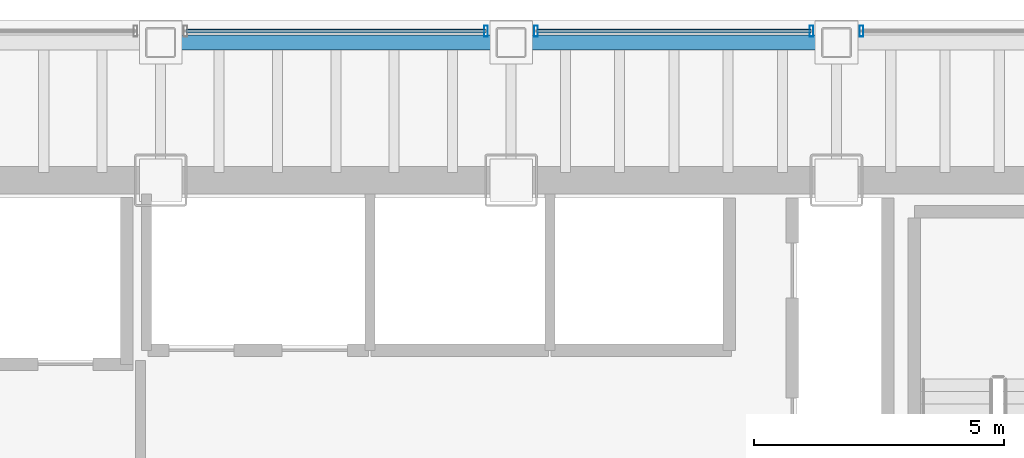
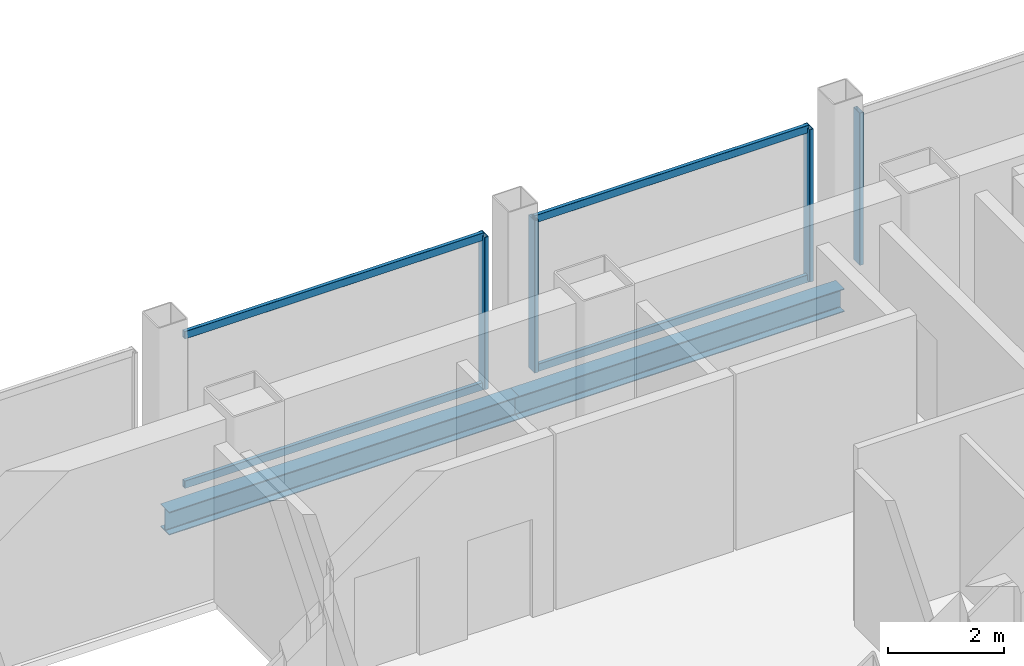
# One storey, part 15 of 21: 8 members, 2 beams, 3 elements without a shape of their own.
"""IFC4 building model written with IfcOpenShell, lengths in metres."""

from ifc_helpers import new_model, si_unit, direction, frame, origin, origin_2d, place, context, subcontext, project, spatial, hollow_rectangle, i_section, extrude, material, material_profile, profile_set, type_object, element, aggregate, save


model = new_model("IFC4")

# Units and contexts
model_context = context("Model", 3, precision=1e-05, world=origin(), true_north=direction((0.0, 1.0)))
body_context = subcontext(model_context, "Body", "Model", "MODEL_VIEW")
ifc_project = project(units=[si_unit("LENGTHUNIT", "METRE"), si_unit("AREAUNIT", "SQUARE_METRE"), si_unit("VOLUMEUNIT", "CUBIC_METRE"), si_unit("PLANEANGLEUNIT", "RADIAN"), si_unit("MASSUNIT", "GRAM", prefix="KILO")], contexts=[model_context])

# Site, building, storey
site_placement = place(None, origin())
site = spatial("IfcSite", under=ifc_project, at=site_placement, CompositionType="ELEMENT")
building_placement = place(site_placement, origin())
building = spatial("IfcBuilding", under=site, at=building_placement, Name="Noeulbin Bourse Tower", CompositionType="ELEMENT")
storey_placement = place(building_placement, frame((0.0, 0.0, 92.800048828125)))
storey = spatial("IfcBuildingStorey", under=building, at=storey_placement, Name="L23", CompositionType="ELEMENT", Elevation=92.800048828125)

# Beams
ifc_material_1 = material(Name="Steel S355", Category="steel")
ifc_material_profile_1 = material_profile(ifc_material_1, i_section(OverallWidth=0.300048828125, OverallDepth=0.488037109375, WebThickness=0.010986328125, FlangeThickness=0.01806640625, FilletRadius=0.02197265625, at=origin_2d()), Name="H-488x300x11x18", Category="LoadBearing")
ifc_profile_set_1 = profile_set([ifc_material_profile_1], Name="Steel S355")
beam_type = type_object("IfcBeamType", Name="BM-SPN-488", PredefinedType="SPANDREL", material=ifc_profile_set_1)
beam_1_placement = place(storey_placement, frame((24.0, 41.050048828125, -0.424072265625), z_axis=(1.0, 0.0, 0.0), x_axis=(0.0, 1.0, 0.0)))
element("IfcBeam", 1, at=beam_1_placement, inside=storey, type_object=beam_type, Name="North Spandrel L23-2", PredefinedType="SPANDREL", context=body_context, shape_type="SweptSolid", body=[
    extrude(i_section(OverallWidth=0.300048828125, OverallDepth=0.488037109375, WebThickness=0.010986328125, FlangeThickness=0.01806640625, FilletRadius=0.02197265625, at=origin_2d()), origin(), (0.0, 0.0, 1.0), 7.0),
])
beam_2_placement = place(storey_placement, frame((31.0, 41.050048828125, -0.424072265625), z_axis=(1.0, 0.0, 0.0), x_axis=(0.0, 1.0, 0.0)))
element("IfcBeam", 2, at=beam_2_placement, inside=storey, type_object=beam_type, Name="North Spandrel L23-3", PredefinedType="SPANDREL", context=body_context, shape_type="SweptSolid", body=[
    extrude(i_section(OverallWidth=0.300048828125, OverallDepth=0.488037109375, WebThickness=0.010986328125, FlangeThickness=0.01806640625, FilletRadius=0.02197265625, at=origin_2d()), origin(), (0.0, 0.0, 1.0), 6.5),
])

# Curtain wall, member
ifc_material_2 = material(Name="Dark Solar-Control Double Glazing", Category="glass")
curtain_wall_type = type_object("IfcCurtainWallType", Name="CW-SYS-2", PredefinedType="NOTDEFINED", material=ifc_material_2)
curtain_wall_1_placement = place(storey_placement, origin())
curtain_wall_1 = element("IfcCurtainWall", 3, at=curtain_wall_1_placement, inside=storey, type_object=curtain_wall_type, Name="Unitised Curtain Wall CW-L23-N-S3", PredefinedType="NOTDEFINED")
ifc_material_3 = material(Name="Anodised Aluminium 6063-T6", Category="aluminium")
ifc_material_profile_2 = material_profile(ifc_material_3, hollow_rectangle(XDim=0.074951171875, YDim=0.219970703125, WallThickness=0.0048828125, InnerFilletRadius=0.00244140625, OuterFilletRadius=0.0048828125, at=origin_2d()), Name="ALU-MULL-75x220x5", Category="LoadBearing")
ifc_profile_set_2 = profile_set([ifc_material_profile_2], Name="Anodised Aluminium 6063-T6")
member_type_1 = type_object("IfcMemberType", Name="CW-SYS-2-MUL", PredefinedType="MULLION", material=ifc_profile_set_2)
member_1_placement = place(storey_placement, frame((30.5, 41.280029296875, -0.02001953125), z_axis=(0.0, 0.0, 1.0), x_axis=(1.0, 0.0, 0.0)))
member_1 = element("IfcMember", 4, at=member_1_placement, type_object=member_type_1, Name="Curtain Wall Mullion CW-L23-N-S3-M01", PredefinedType="MULLION", context=body_context, shape_type="SweptSolid", body=[
    extrude(hollow_rectangle(XDim=0.074951171875, YDim=0.219970703125, WallThickness=0.0048828125, InnerFilletRadius=0.00244140625, OuterFilletRadius=0.0048828125, at=origin_2d()), origin(), (0.0, 0.0, 1.0), 3.219970703125),
])

# Curtain wall, members
curtain_wall_2_placement = place(storey_placement, origin())
curtain_wall_2 = element("IfcCurtainWall", 5, at=curtain_wall_2_placement, inside=storey, type_object=curtain_wall_type, Name="Unitised Curtain Wall CW-L23-N-S4", PredefinedType="NOTDEFINED")
member_2_placement = place(storey_placement, frame((31.5, 41.280029296875, -0.02001953125), z_axis=(0.0, 0.0, 1.0), x_axis=(1.0, 0.0, 0.0)))
member_2 = element("IfcMember", 6, at=member_2_placement, type_object=member_type_1, Name="Curtain Wall Mullion CW-L23-N-S4-M00", PredefinedType="MULLION", context=body_context, shape_type="SweptSolid", body=[
    extrude(hollow_rectangle(XDim=0.074951171875, YDim=0.219970703125, WallThickness=0.0048828125, InnerFilletRadius=0.00244140625, OuterFilletRadius=0.0048828125, at=origin_2d()), origin(), (0.0, 0.0, 1.0), 3.219970703125),
])
member_3_placement = place(storey_placement, frame((37.0, 41.280029296875, -0.02001953125), z_axis=(0.0, 0.0, 1.0), x_axis=(1.0, 0.0, 0.0)))
member_3 = element("IfcMember", 7, at=member_3_placement, type_object=member_type_1, Name="Curtain Wall Mullion CW-L23-N-S4-M01", PredefinedType="MULLION", context=body_context, shape_type="SweptSolid", body=[
    extrude(hollow_rectangle(XDim=0.074951171875, YDim=0.219970703125, WallThickness=0.0048828125, InnerFilletRadius=0.00244140625, OuterFilletRadius=0.0048828125, at=origin_2d()), origin(), (0.0, 0.0, 1.0), 3.219970703125),
])

# Curtain wall, member
curtain_wall_3_placement = place(storey_placement, origin())
curtain_wall_3 = element("IfcCurtainWall", 8, at=curtain_wall_3_placement, inside=storey, type_object=curtain_wall_type, Name="Unitised Curtain Wall CW-L23-N-S5", PredefinedType="NOTDEFINED")
member_4_placement = place(storey_placement, frame((38.0, 41.280029296875, -0.02001953125), z_axis=(0.0, 0.0, 1.0), x_axis=(1.0, 0.0, 0.0)))
member_4 = element("IfcMember", 9, at=member_4_placement, type_object=member_type_1, Name="Curtain Wall Mullion CW-L23-N-S5-M00", PredefinedType="MULLION", context=body_context, shape_type="SweptSolid", body=[
    extrude(hollow_rectangle(XDim=0.074951171875, YDim=0.219970703125, WallThickness=0.0048828125, InnerFilletRadius=0.00244140625, OuterFilletRadius=0.0048828125, at=origin_2d()), origin(), (0.0, 0.0, 1.0), 3.219970703125),
])
aggregate(curtain_wall_3, [member_4])

# Member
ifc_material_profile_3 = material_profile(ifc_material_3, hollow_rectangle(XDim=0.074951171875, YDim=0.159912109375, WallThickness=0.0048828125, InnerFilletRadius=0.00244140625, OuterFilletRadius=0.0048828125, at=origin_2d()), Name="ALU-TRAN-75x160x5", Category="LoadBearing")
ifc_profile_set_3 = profile_set([ifc_material_profile_3], Name="Anodised Aluminium 6063-T6")
member_type_2 = type_object("IfcMemberType", Name="CW-SYS-2-TRN", PredefinedType="USERDEFINED", material=ifc_profile_set_3)
member_5_placement = place(storey_placement, frame((24.510009765625, 41.280029296875, 0.010009765625), z_axis=(1.0, 0.0, 0.0), x_axis=(0.0, 1.0, 0.0)))
member_5 = element("IfcMember", 10, at=member_5_placement, type_object=member_type_2, Name="Curtain Wall Transom CW-L23-N-S3-T00", ObjectType="TRANSOM", PredefinedType="USERDEFINED", context=body_context, shape_type="SweptSolid", body=[
    extrude(hollow_rectangle(XDim=0.074951171875, YDim=0.159912109375, WallThickness=0.0048828125, InnerFilletRadius=0.00244140625, OuterFilletRadius=0.0048828125, at=origin_2d()), origin(), (0.0, 0.0, 1.0), 5.97998046875),
])

member_6_placement = place(storey_placement, frame((24.510009765625, 41.280029296875, 3.169921875), z_axis=(1.0, 0.0, 0.0), x_axis=(0.0, 1.0, 0.0)))
member_6 = element("IfcMember", 11, at=member_6_placement, type_object=member_type_2, Name="Curtain Wall Transom CW-L23-N-S3-T01", ObjectType="TRANSOM", PredefinedType="USERDEFINED", context=body_context, shape_type="SweptSolid", body=[
    extrude(hollow_rectangle(XDim=0.074951171875, YDim=0.159912109375, WallThickness=0.0048828125, InnerFilletRadius=0.00244140625, OuterFilletRadius=0.0048828125, at=origin_2d()), origin(), (0.0, 0.0, 1.0), 5.97998046875),
])

aggregate(curtain_wall_1, [member_1, member_5, member_6])

member_7_placement = place(storey_placement, frame((31.510009765625, 41.280029296875, 0.010009765625), z_axis=(1.0, 0.0, 0.0), x_axis=(0.0, 1.0, 0.0)))
member_7 = element("IfcMember", 12, at=member_7_placement, type_object=member_type_2, Name="Curtain Wall Transom CW-L23-N-S4-T00", ObjectType="TRANSOM", PredefinedType="USERDEFINED", context=body_context, shape_type="SweptSolid", body=[
    extrude(hollow_rectangle(XDim=0.074951171875, YDim=0.159912109375, WallThickness=0.0048828125, InnerFilletRadius=0.00244140625, OuterFilletRadius=0.0048828125, at=origin_2d()), origin(), (0.0, 0.0, 1.0), 5.47998046875),
])

member_8_placement = place(storey_placement, frame((31.510009765625, 41.280029296875, 3.169921875), z_axis=(1.0, 0.0, 0.0), x_axis=(0.0, 1.0, 0.0)))
member_8 = element("IfcMember", 13, at=member_8_placement, type_object=member_type_2, Name="Curtain Wall Transom CW-L23-N-S4-T01", ObjectType="TRANSOM", PredefinedType="USERDEFINED", context=body_context, shape_type="SweptSolid", body=[
    extrude(hollow_rectangle(XDim=0.074951171875, YDim=0.159912109375, WallThickness=0.0048828125, InnerFilletRadius=0.00244140625, OuterFilletRadius=0.0048828125, at=origin_2d()), origin(), (0.0, 0.0, 1.0), 5.47998046875),
])

aggregate(curtain_wall_2, [member_2, member_3, member_7, member_8])

save(model, "model.ifc")
